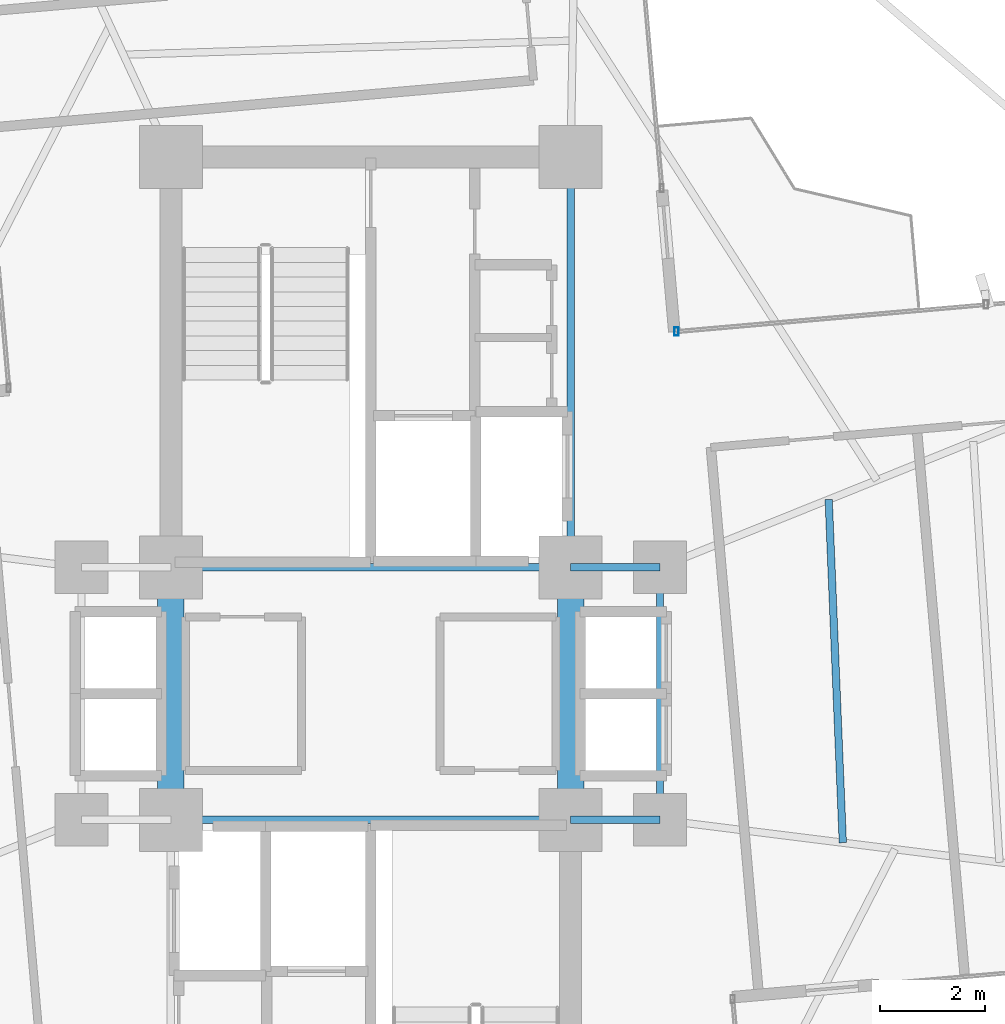
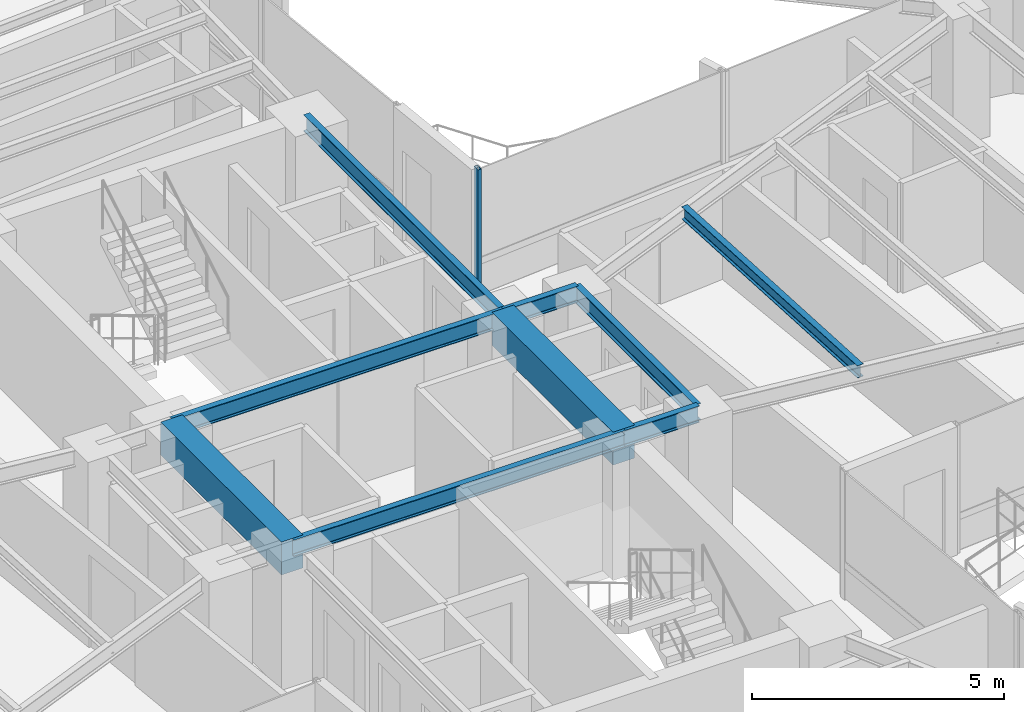
# One storey, part 11 of 24: 9 beams, 1 member, 1 element without a shape of its own.
"""IFC4 building model written with IfcOpenShell, lengths in metres."""

from ifc_helpers import new_model, si_unit, direction, frame, origin, origin_2d, place, context, subcontext, project, spatial, rectangle, hollow_rectangle, i_section, extrude, source, transform, mapped, material, material_profile, profile_set, type_object, element, aggregate, save


model = new_model("IFC4")

# Units and contexts
model_context = context("Model", 3, precision=1e-05, world=origin(), true_north=direction((0.0, 1.0)))
body_context = subcontext(model_context, "Body", "Model", "MODEL_VIEW")
ifc_project = project(units=[si_unit("LENGTHUNIT", "METRE"), si_unit("AREAUNIT", "SQUARE_METRE"), si_unit("VOLUMEUNIT", "CUBIC_METRE"), si_unit("PLANEANGLEUNIT", "RADIAN"), si_unit("MASSUNIT", "GRAM", prefix="KILO")], contexts=[model_context])

# Site, building, storey
site_placement = place(None, origin())
site = spatial("IfcSite", under=ifc_project, at=site_placement, CompositionType="ELEMENT")
building_placement = place(site_placement, origin())
building = spatial("IfcBuilding", under=site, at=building_placement, Name="Sahyath Konkavel Grand Hotel", CompositionType="ELEMENT")
storey_placement = place(building_placement, frame((0.0, 0.0, 150.60009765625)))
storey = spatial("IfcBuildingStorey", under=building, at=storey_placement, Name="L41", CompositionType="ELEMENT", Elevation=150.60009765625)

# Beams
ifc_material_1 = material(Name="Steel E350", Category="steel")
ifc_material_profile_1 = material_profile(ifc_material_1, i_section(OverallWidth=0.139892578125, OverallDepth=0.39990234375, WebThickness=0.0087890625, FlangeThickness=0.01611328125, FilletRadius=0.013916015625, at=origin_2d()), Name="ISMB 400")
ifc_profile_set_1 = profile_set([ifc_material_profile_1], Name="Steel E350")
beam_type_1 = type_object("IfcBeamType", Name="BM-ISMB400", PredefinedType="BEAM", material=ifc_profile_set_1)
shared_shape_1 = source(origin(), body_context, "Body", "SweptSolid", [
    extrude(i_section(OverallWidth=0.139892578125, OverallDepth=0.39990234375, WebThickness=0.0087890625, FlangeThickness=0.01611328125, FilletRadius=0.013916015625, at=origin_2d()), origin(), (0.0, 0.0, 1.0), 7.60009765625),
])
for number, where, z_axis, x_axis, name in (
    (1, (-3.800048828125, 2.39990234375, 2.909912109375), (1.0, 0.0, 0.0), (0.0, 1.0, 0.0), "str:bm:L41:NC-S"),
    (2, (-3.800048828125, -2.39990234375, 2.909912109375), (1.0, 0.0, 0.0), (0.0, 1.0, 0.0), "str:bm:L41:SC-N"),
):
    element("IfcBeam", number, at=place(storey_placement, frame(where, z_axis=z_axis, x_axis=x_axis)), inside=storey, type_object=beam_type_1, Name=name, PredefinedType="BEAM", context=body_context, shape_type="MappedRepresentation", body=[
        mapped(shared_shape_1, transform((0.0, 0.0, 0.0), scale=1.0)),
    ])
shared_shape_2 = source(origin(), body_context, "Body", "SweptSolid", [
    extrude(i_section(OverallWidth=0.139892578125, OverallDepth=0.39990234375, WebThickness=0.0087890625, FlangeThickness=0.01611328125, FilletRadius=0.013916015625, at=origin_2d()), origin(), (0.0, 0.0, 1.0), 7.800048828125),
])
beam_1_placement = place(storey_placement, frame((3.800048828125, 2.39990234375, 2.909912109375), z_axis=(0.0, 1.0, 0.0), x_axis=(-1.0, 0.0, 0.0)))
element("IfcBeam", 3, at=beam_1_placement, inside=storey, type_object=beam_type_1, Name="str:bm:L41:NC-E", PredefinedType="BEAM", context=body_context, shape_type="MappedRepresentation", body=[
    mapped(shared_shape_2, transform((0.0, 0.0, 0.0), scale=1.0)),
])
shared_shape_3 = source(origin(), body_context, "Body", "SweptSolid", [
    extrude(i_section(OverallWidth=0.139892578125, OverallDepth=0.39990234375, WebThickness=0.0087890625, FlangeThickness=0.01611328125, FilletRadius=0.013916015625, at=origin_2d()), origin(), (0.0, 0.0, 1.0), 1.699951171875),
])
for number, where, z_axis, x_axis, name in (
    (4, (3.800048828125, 2.39990234375, 2.909912109375), (1.0, 0.0, 0.0), (0.0, 1.0, 0.0), "str:bm:L41:HB-NE"),
    (5, (3.800048828125, -2.39990234375, 2.909912109375), (1.0, 0.0, 0.0), (0.0, 1.0, 0.0), "str:bm:L41:HB-SE"),
):
    element("IfcBeam", number, at=place(storey_placement, frame(where, z_axis=z_axis, x_axis=x_axis)), inside=storey, type_object=beam_type_1, Name=name, PredefinedType="BEAM", context=body_context, shape_type="MappedRepresentation", body=[
        mapped(shared_shape_3, transform((0.0, 0.0, 0.0), scale=1.0)),
    ])
shared_shape_4 = source(origin(), body_context, "Body", "SweptSolid", [
    extrude(i_section(OverallWidth=0.139892578125, OverallDepth=0.39990234375, WebThickness=0.0087890625, FlangeThickness=0.01611328125, FilletRadius=0.013916015625, at=origin_2d()), origin(), (0.0, 0.0, 1.0), 4.7998046875),
])
beam_2_placement = place(storey_placement, frame((5.5, -2.39990234375, 2.909912109375), z_axis=(0.0, 1.0, 0.0), x_axis=(-1.0, 0.0, 0.0)))
element("IfcBeam", 6, at=beam_2_placement, inside=storey, type_object=beam_type_1, Name="str:bm:L41:HB-E", PredefinedType="BEAM", context=body_context, shape_type="MappedRepresentation", body=[
    mapped(shared_shape_4, transform((0.0, 0.0, 0.0), scale=1.0)),
])
ifc_material_2 = material(Name="Concrete C50/60", Category="concrete")
ifc_material_profile_2 = material_profile(ifc_material_2, rectangle(XDim=0.5, YDim=0.800048828125, at=origin_2d()), Name="RC 500x800")
ifc_profile_set_2 = profile_set([ifc_material_profile_2], Name="Concrete C50/60")
beam_type_2 = type_object("IfcBeamType", Name="BM-CB500x800", PredefinedType="LINTEL", material=ifc_profile_set_2)
shared_shape_5 = source(origin(), body_context, "Body", "SweptSolid", [
    extrude(rectangle(XDim=0.5, YDim=0.800048828125, at=origin_2d()), origin(), (0.0, 0.0, 1.0), 4.7998046875),
])
for number, where, z_axis, x_axis, name in (
    (7, (-3.800048828125, -2.39990234375, 2.7099609375), (0.0, 1.0, 0.0), (-1.0, 0.0, 0.0), "L41 Split-Core Coupling Beam West"),
    (8, (3.800048828125, -2.39990234375, 2.7099609375), (0.0, 1.0, 0.0), (-1.0, 0.0, 0.0), "L41 Split-Core Coupling Beam East"),
):
    element("IfcBeam", number, at=place(storey_placement, frame(where, z_axis=z_axis, x_axis=x_axis)), inside=storey, type_object=beam_type_2, Name=name, PredefinedType="LINTEL", context=body_context, shape_type="MappedRepresentation", body=[
        mapped(shared_shape_5, transform((0.0, 0.0, 0.0), scale=1.0)),
    ])
ifc_material_profile_3 = material_profile(ifc_material_1, i_section(OverallWidth=0.139892578125, OverallDepth=0.300048828125, WebThickness=0.0078125, FlangeThickness=0.01318359375, FilletRadius=0.013916015625, at=origin_2d()), Name="ISMB 300")
ifc_profile_set_3 = profile_set([ifc_material_profile_3], Name="Steel E350")
beam_type_3 = type_object("IfcBeamType", Name="BM-ISMB300", PredefinedType="BEAM", material=ifc_profile_set_3)
shared_shape_6 = source(origin(), body_context, "Body", "SweptSolid", [
    extrude(i_section(OverallWidth=0.139892578125, OverallDepth=0.300048828125, WebThickness=0.0078125, FlangeThickness=0.01318359375, FilletRadius=0.013916015625, at=origin_2d()), origin(), (0.0, 0.0, 1.0), 6.530029296875),
])
beam_3_placement = place(storey_placement, frame((8.9755859375, -2.835205078125, 2.9599609375), z_axis=(-0.04112667768, 0.999153940283, 0.0), x_axis=(-0.999153940283, -0.04112667768, 0.0)))
element("IfcBeam", 9, at=beam_3_placement, inside=storey, type_object=beam_type_3, Name="L41 Secondary Floor Beam E-1", PredefinedType="BEAM", context=body_context, shape_type="MappedRepresentation", body=[
    mapped(shared_shape_6, transform((0.0, 0.0, 0.0), scale=1.0)),
])

# Curtain wall, member
ifc_material_3 = material(Name="Anodised Bronze Aluminium & Low-E Glazing", Category="aluminium")
curtain_wall_type = type_object("IfcCurtainWallType", Name="CW-ZONE3", PredefinedType="NOTDEFINED", material=ifc_material_3)
curtain_wall_placement = place(storey_placement, origin())
curtain_wall = element("IfcCurtainWall", 10, at=curtain_wall_placement, inside=storey, type_object=curtain_wall_type, Name="L41 Unitised Curtain Wall F7", PredefinedType="NOTDEFINED")
ifc_material_4 = material(Name="Anodised Bronze Aluminium", Category="aluminium")
ifc_material_profile_4 = material_profile(ifc_material_4, hollow_rectangle(XDim=0.080078125, YDim=0.159912109375, WallThickness=0.006103515625, at=origin_2d()), Name="RHS 160x80x6")
ifc_profile_set_4 = profile_set([ifc_material_profile_4], Name="Anodised Bronze Aluminium")
member_type = type_object("IfcMemberType", Name="CW-MUL-160", PredefinedType="MULLION", material=ifc_profile_set_4)
shared_shape_7 = source(origin(), body_context, "Body", "SweptSolid", [
    extrude(hollow_rectangle(XDim=0.080078125, YDim=0.159912109375, WallThickness=0.006103515625, at=origin_2d()), origin(), (0.0, 0.0, 1.0), 3.10986328125),
])
member_placement = place(storey_placement, frame((5.812255859375, 6.8828125, 0.0), z_axis=(0.0, 0.0, 1.0), x_axis=(1.0, 0.0, 0.0)))
member = element("IfcMember", 11, at=member_placement, type_object=member_type, Name="L41 Curtain Wall Mullion F7-2", PredefinedType="MULLION", context=body_context, shape_type="MappedRepresentation", body=[
    mapped(shared_shape_7, transform((0.0, 0.0, 0.0), scale=1.0)),
])
aggregate(curtain_wall, [member])

save(model, "model.ifc")
